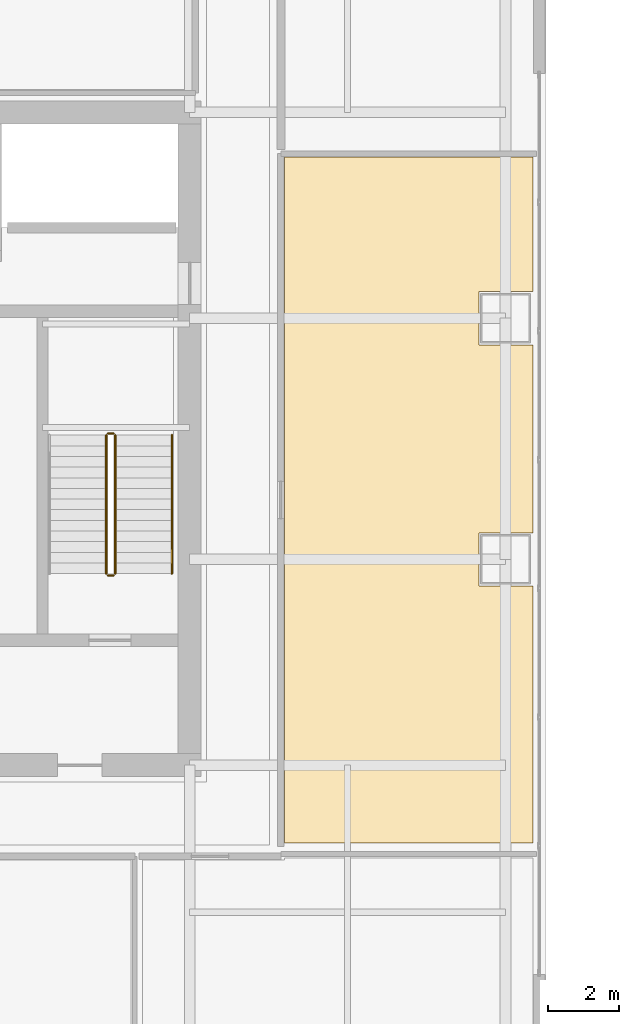
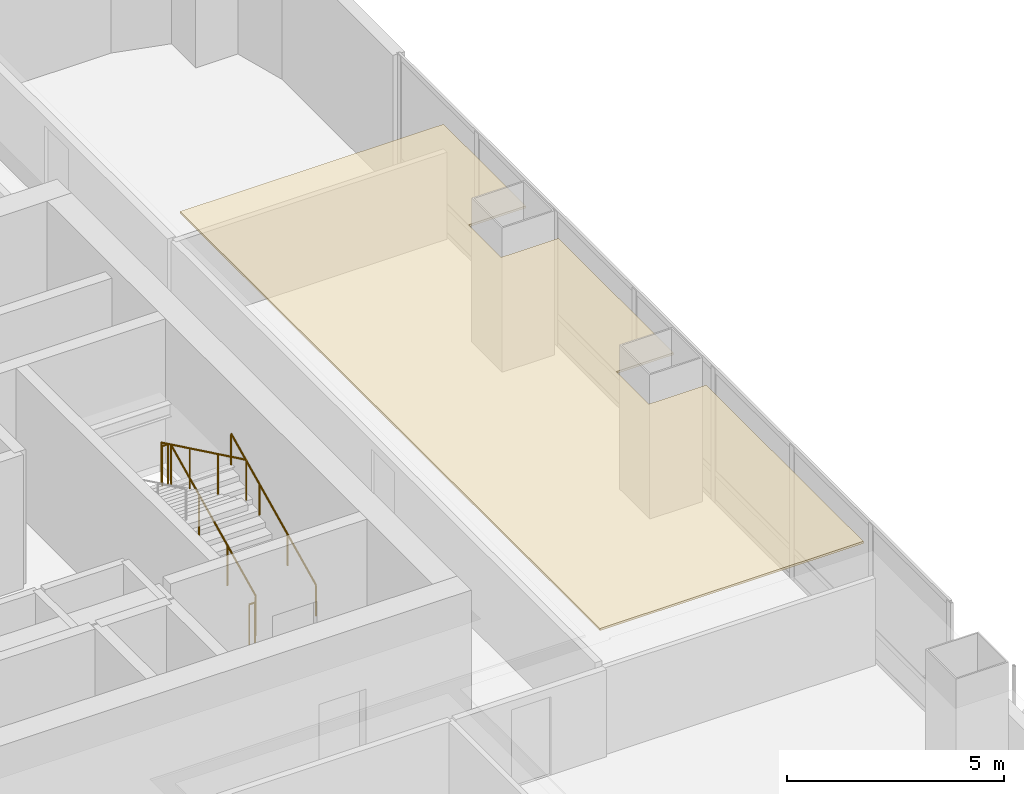
# One storey, part 43 of 46: 5 railings, 1 covering.
"""IFC4 building model written with IfcOpenShell, lengths in metres."""

from ifc_helpers import new_model, si_unit, direction, frame, origin, origin_2d, place, context, subcontext, project, spatial, polyline, circle, outline, extrude, material, layer, layer_set, type_object, element, save


model = new_model("IFC4")

# Units and contexts
model_context = context("Model", 3, precision=1e-05, world=origin(), true_north=direction((0.0, 1.0)))
body_context = subcontext(model_context, "Body", "Model", "MODEL_VIEW")
ifc_project = project(units=[si_unit("LENGTHUNIT", "METRE"), si_unit("AREAUNIT", "SQUARE_METRE"), si_unit("VOLUMEUNIT", "CUBIC_METRE"), si_unit("PLANEANGLEUNIT", "RADIAN"), si_unit("MASSUNIT", "GRAM", prefix="KILO")], contexts=[model_context])

# Site, building, storey
site_placement = place(None, origin())
site = spatial("IfcSite", under=ifc_project, at=site_placement, CompositionType="ELEMENT")
building_placement = place(site_placement, origin())
building = spatial("IfcBuilding", under=site, at=building_placement, Name="Punatoya Terracotta Tower", CompositionType="ELEMENT")
storey_placement = place(building_placement, frame((0.0, 0.0, 200.550048828125)))
storey = spatial("IfcBuildingStorey", under=building, at=storey_placement, Name="L47", CompositionType="ELEMENT", Elevation=200.550048828125)

# Covering
ifc_material_1 = material(Name="Acoustic Mineral Fibre Ceiling")
ifc_layer = layer(ifc_material_1, 0.06005859375)
ifc_layer_set = layer_set([ifc_layer], Name="Acoustic Mineral Fibre Ceiling")
covering_type = type_object("IfcCoveringType", Name="COV-CEIL-60", PredefinedType="CEILING", material=ifc_layer_set)
covering_placement = place(storey_placement, frame((0.0, 0.0, 3.219970703125)))
element("IfcCovering", 1, at=covering_placement, inside=storey, type_object=covering_type, Name="L47 Open-Plan Laboratory Staff Pantry Acoustic Ceiling", PredefinedType="CEILING", context=body_context, shape_type="SweptSolid", body=[
    extrude(outline(polyline([(18.35009765625, -4.14990234375), (18.35009765625, -2.64990234375), (19.8701171875, -2.64990234375), (19.8701171875, 2.64990234375), (18.35009765625, 2.64990234375), (18.35009765625, 4.14990234375), (19.8701171875, 4.14990234375), (19.8701171875, 7.93798828125), (12.8701171875, 7.93798828125), (12.8701171875, -11.389892578125), (19.8701171875, -11.389892578125), (19.8701171875, -4.14990234375), (18.35009765625, -4.14990234375)])), origin(), (0.0, 0.0, 1.0), 0.06005859375),
])

# Railings
ifc_material_2 = material(Name="Steel S355", Category="steel")
railing_type_1 = type_object("IfcRailingType", Name="RLG-GRD-1150", PredefinedType="GUARDRAIL", material=ifc_material_2)
railing_1_placement = place(storey_placement, frame((8.10009765625, -3.800048828125, 0.14453125)))
element("IfcRailing", 2, at=railing_1_placement, inside=storey, type_object=railing_type_1, Name="L47 ST-2 stair guard 1", PredefinedType="GUARDRAIL", context=body_context, shape_type="SweptSolid", body=[
    extrude(circle(Radius=0.02392578125, at=origin_2d()), frame((0.0, 0.0, 1.1259765625), z_axis=(0.0, 0.900773802044, 0.434288564841), x_axis=(-1.0, 0.0, 0.0)), (0.0, 0.0, 1.0), 4.329833984375),
    extrude(circle(Radius=0.02099609375, at=origin_2d()), origin(), (0.0, 0.0, 1.0), 1.101806640625),
    extrude(circle(Radius=0.02099609375, at=origin_2d()), frame((0.0, 1.300048828125, 0.626708984375)), (0.0, 0.0, 1.0), 1.101806640625),
    extrude(circle(Radius=0.02099609375, at=origin_2d()), frame((0.0, 2.60009765625, 1.253662109375)), (0.0, 0.0, 1.0), 1.101806640625),
    extrude(circle(Radius=0.02099609375, at=origin_2d()), frame((0.0, 3.900146484375, 1.88037109375)), (0.0, 0.0, 1.0), 1.101806640625),
])
railing_2_placement = place(storey_placement, frame((8.050048828125, 0.14990234375, 2.02490234375)))
element("IfcRailing", 3, at=railing_2_placement, inside=storey, type_object=railing_type_1, Name="L47 ST-2 stair guard 2", PredefinedType="GUARDRAIL", context=body_context, shape_type="SweptSolid", body=[
    extrude(circle(Radius=0.02392578125, at=origin_2d()), frame((0.0, 0.0, 1.1259765625), z_axis=(-1.0, 0.0, 0.0), x_axis=(0.0, -1.0, 0.0)), (0.0, 0.0, 1.0), 0.150146484375),
    extrude(circle(Radius=0.02099609375, at=origin_2d()), origin(), (0.0, 0.0, 1.0), 1.101806640625),
    extrude(circle(Radius=0.02099609375, at=origin_2d()), frame((-0.150146484375, 0.0, 0.0)), (0.0, 0.0, 1.0), 1.101806640625),
])
railing_3_placement = place(storey_placement, frame((7.85009765625, 0.10009765625, 2.169677734375)))
element("IfcRailing", 4, at=railing_3_placement, inside=storey, type_object=railing_type_1, Name="L47 ST-2 stair guard 3", PredefinedType="GUARDRAIL", context=body_context, shape_type="SweptSolid", body=[
    extrude(circle(Radius=0.02392578125, at=origin_2d()), frame((0.0, 0.0, 1.1259765625), z_axis=(0.0, -0.900773802044, 0.434288564841), x_axis=(1.0, 0.0, 0.0)), (0.0, 0.0, 1.0), 4.329833984375),
    extrude(circle(Radius=0.02099609375, at=origin_2d()), origin(), (0.0, 0.0, 1.0), 1.101806640625),
    extrude(circle(Radius=0.02099609375, at=origin_2d()), frame((0.0, -1.300048828125, 0.626708984375)), (0.0, 0.0, 1.0), 1.101806640625),
    extrude(circle(Radius=0.02099609375, at=origin_2d()), frame((0.0, -2.60009765625, 1.253662109375)), (0.0, 0.0, 1.0), 1.101806640625),
    extrude(circle(Radius=0.02099609375, at=origin_2d()), frame((0.0, -3.900146484375, 1.88037109375)), (0.0, 0.0, 1.0), 1.101806640625),
])
railing_4_placement = place(storey_placement, frame((8.050048828125, -3.85009765625, 0.0)))
element("IfcRailing", 5, at=railing_4_placement, inside=storey, type_object=railing_type_1, Name="L47 ST-2 stair guard 4", PredefinedType="GUARDRAIL", context=body_context, shape_type="SweptSolid", body=[
    extrude(circle(Radius=0.02392578125, at=origin_2d()), frame((0.0, 0.0, 1.1259765625), z_axis=(-1.0, 0.0, 0.0), x_axis=(0.0, -1.0, 0.0)), (0.0, 0.0, 1.0), 0.150146484375),
    extrude(circle(Radius=0.02099609375, at=origin_2d()), origin(), (0.0, 0.0, 1.0), 1.101806640625),
    extrude(circle(Radius=0.02099609375, at=origin_2d()), frame((-0.150146484375, 0.0, 0.0)), (0.0, 0.0, 1.0), 1.101806640625),
])
railing_type_2 = type_object("IfcRailingType", Name="RLG-HND-900", PredefinedType="HANDRAIL", material=ifc_material_2)
railing_5_placement = place(storey_placement, frame((9.699951171875, -3.800048828125, 0.14453125)))
element("IfcRailing", 6, at=railing_5_placement, inside=storey, type_object=railing_type_2, Name="L47 ST-2 stair handrail 1", PredefinedType="HANDRAIL", context=body_context, shape_type="SweptSolid", body=[
    extrude(circle(Radius=0.02392578125, at=origin_2d()), frame((0.0, 0.0, 0.8759765625), z_axis=(0.0, 0.900773802044, 0.434288564841), x_axis=(-1.0, 0.0, 0.0)), (0.0, 0.0, 1.0), 4.329833984375),
    extrude(circle(Radius=0.02099609375, at=origin_2d()), origin(), (0.0, 0.0, 1.0), 0.851806640625),
    extrude(circle(Radius=0.02099609375, at=origin_2d()), frame((0.0, 1.300048828125, 0.626708984375)), (0.0, 0.0, 1.0), 0.851806640625),
    extrude(circle(Radius=0.02099609375, at=origin_2d()), frame((0.0, 2.60009765625, 1.253662109375)), (0.0, 0.0, 1.0), 0.851806640625),
    extrude(circle(Radius=0.02099609375, at=origin_2d()), frame((0.0, 3.900146484375, 1.88037109375)), (0.0, 0.0, 1.0), 0.851806640625),
])

save(model, "model.ifc")
